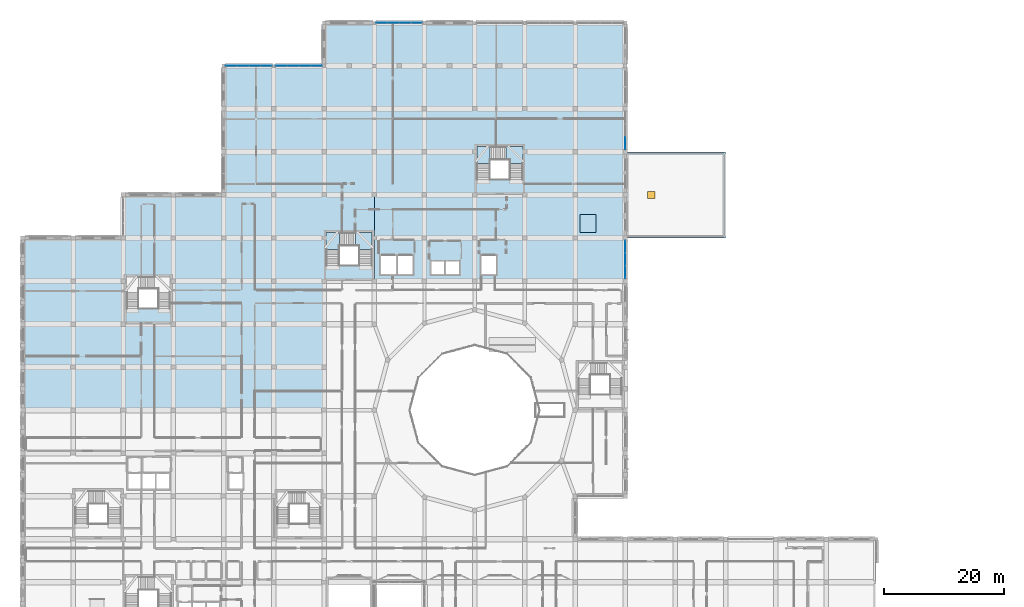
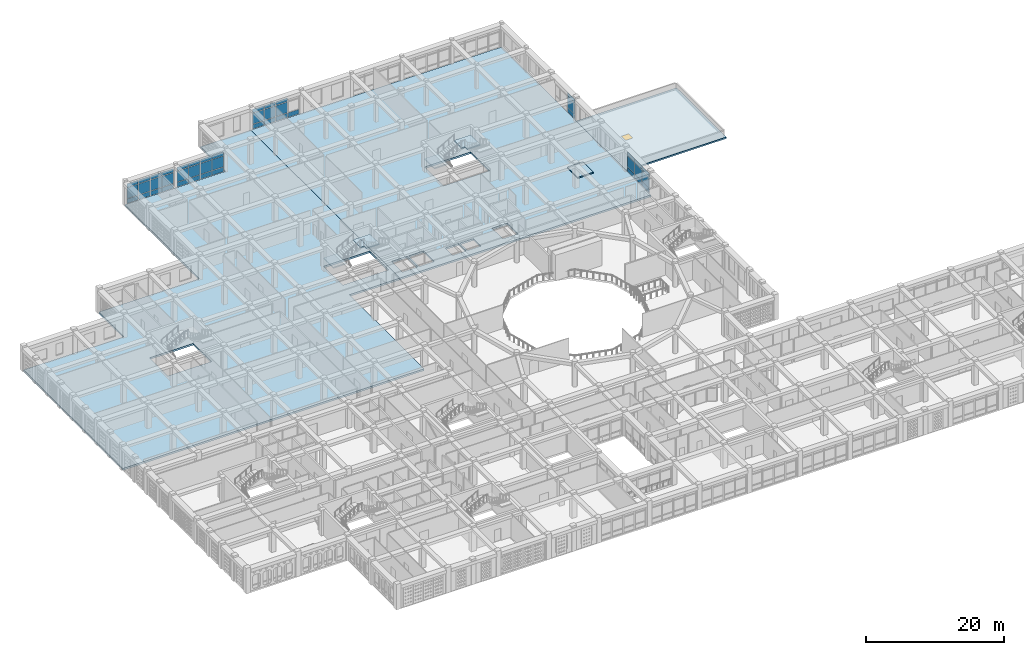
# One storey, part 67 of 121: 46 plates, 8 slabs, 1 window, 1 opening, 7 elements without a shape of their own.
"""IFC4 building model written with IfcOpenShell, lengths in metres."""

from ifc_helpers import new_model, si_unit, derived_unit, direction, frame, origin, origin_2d, place, context, subcontext, project, spatial, polyline, rectangle, outline, extrude, material, layer, layer_set, type_object, element, fill, aggregate, save


model = new_model("IFC4")

# Units and contexts
model_context = context("Model", 3, precision=1e-05, world=origin(), true_north=direction((0.0, 1.0)))
body_context = subcontext(model_context, "Body", "Model", "MODEL_VIEW")
ifc_project = project(units=[si_unit("LENGTHUNIT", "METRE"), si_unit("AREAUNIT", "SQUARE_METRE"), si_unit("VOLUMEUNIT", "CUBIC_METRE"), si_unit("PLANEANGLEUNIT", "RADIAN"), si_unit("MASSUNIT", "GRAM", prefix="KILO"), derived_unit("THERMALTRANSMITTANCEUNIT", [(si_unit("POWERUNIT", "WATT"), 1), (si_unit("LENGTHUNIT", "METRE"), -2), (si_unit("THERMODYNAMICTEMPERATUREUNIT", "KELVIN"), -1)])], contexts=[model_context])

# Site, building, storey
site_placement = place(None, origin())
site = spatial("IfcSite", under=ifc_project, at=site_placement, CompositionType="ELEMENT")
building_placement = place(site_placement, origin())
building = spatial("IfcBuilding", under=site, at=building_placement, Name="Veybourne Emporium", CompositionType="ELEMENT")
storey_placement = place(building_placement, frame((0.0, 0.0, 5.39990234375)))
storey = spatial("IfcBuildingStorey", under=building, at=storey_placement, Name="L01", CompositionType="ELEMENT", Elevation=5.39990234375)

# Curtain wall, plates
ifc_material_1 = material(Name="Patinated Architectural Bronze", Category="bronze")
curtain_wall_type_1 = type_object("IfcCurtainWallType", Name="CWSystem_CWS-04", PredefinedType="NOTDEFINED", material=ifc_material_1)
curtain_wall_1_placement = place(storey_placement, origin())
curtain_wall_1 = element("IfcCurtainWall", 1, at=curtain_wall_1_placement, inside=storey, type_object=curtain_wall_type_1, Name="L01 bronze glazed curtain wall CWS-04 (024)", PredefinedType="NOTDEFINED")
ifc_material_2 = material(Name="Low-E Triple Glazing", Category="glass")
ifc_layer_1 = layer(ifc_material_2, 0.028076171875)
ifc_layer_set_1 = layer_set([ifc_layer_1], Name="Low-E Triple Glazing")
plate_type = type_object("IfcPlateType", Name="CWPanel_CW-P1", PredefinedType="CURTAIN_PANEL", material=ifc_layer_set_1)
plate_1_placement = place(storey_placement, frame((34.876953125, 108.0, 0.070068359375), z_axis=(0.0, 0.0, 1.0), x_axis=(1.0, 0.0, 0.0)))
plate_1 = element("IfcPlate", 2, at=plate_1_placement, type_object=plate_type, Name="CWS-04 panel 1.1", PredefinedType="CURTAIN_PANEL", context=body_context, shape_type="SweptSolid", body=[
    extrude(rectangle(XDim=1.86376953125, YDim=0.028076171875, at=origin_2d()), origin(), (0.0, 0.0, 1.0), 0.794921875),
])
plate_2_placement = place(storey_placement, frame((34.876953125, 108.0, 0.93505859375), z_axis=(0.0, 0.0, 1.0), x_axis=(1.0, 0.0, 0.0)))
plate_2 = element("IfcPlate", 3, at=plate_2_placement, type_object=plate_type, Name="CWS-04 panel 1.2", PredefinedType="CURTAIN_PANEL", context=body_context, shape_type="SweptSolid", body=[
    extrude(rectangle(XDim=1.86376953125, YDim=0.028076171875, at=origin_2d()), origin(), (0.0, 0.0, 1.0), 1.909912109375),
])
plate_3_placement = place(storey_placement, frame((34.876953125, 108.0, 2.9150390625), z_axis=(0.0, 0.0, 1.0), x_axis=(1.0, 0.0, 0.0)))
plate_3 = element("IfcPlate", 4, at=plate_3_placement, type_object=plate_type, Name="CWS-04 panel 1.3", PredefinedType="CURTAIN_PANEL", context=body_context, shape_type="SweptSolid", body=[
    extrude(rectangle(XDim=1.86376953125, YDim=0.028076171875, at=origin_2d()), origin(), (0.0, 0.0, 1.0), 0.64501953125),
])
plate_4_placement = place(storey_placement, frame((36.828125, 108.0, 0.070068359375), z_axis=(0.0, 0.0, 1.0), x_axis=(1.0, 0.0, 0.0)))
plate_4 = element("IfcPlate", 5, at=plate_4_placement, type_object=plate_type, Name="CWS-04 panel 2.1", PredefinedType="CURTAIN_PANEL", context=body_context, shape_type="SweptSolid", body=[
    extrude(rectangle(XDim=1.898681640625, YDim=0.028076171875, at=origin_2d()), origin(), (0.0, 0.0, 1.0), 0.794921875),
])
plate_5_placement = place(storey_placement, frame((36.828125, 108.0, 0.93505859375), z_axis=(0.0, 0.0, 1.0), x_axis=(1.0, 0.0, 0.0)))
plate_5 = element("IfcPlate", 6, at=plate_5_placement, type_object=plate_type, Name="CWS-04 panel 2.2", PredefinedType="CURTAIN_PANEL", context=body_context, shape_type="SweptSolid", body=[
    extrude(rectangle(XDim=1.898681640625, YDim=0.028076171875, at=origin_2d()), origin(), (0.0, 0.0, 1.0), 1.909912109375),
])
plate_6_placement = place(storey_placement, frame((36.828125, 108.0, 2.9150390625), z_axis=(0.0, 0.0, 1.0), x_axis=(1.0, 0.0, 0.0)))
plate_6 = element("IfcPlate", 7, at=plate_6_placement, type_object=plate_type, Name="CWS-04 panel 2.3", PredefinedType="CURTAIN_PANEL", context=body_context, shape_type="SweptSolid", body=[
    extrude(rectangle(XDim=1.898681640625, YDim=0.028076171875, at=origin_2d()), origin(), (0.0, 0.0, 1.0), 0.64501953125),
])
plate_7_placement = place(storey_placement, frame((38.796875, 108.0, 0.070068359375), z_axis=(0.0, 0.0, 1.0), x_axis=(1.0, 0.0, 0.0)))
plate_7 = element("IfcPlate", 8, at=plate_7_placement, type_object=plate_type, Name="CWS-04 panel 3.1", PredefinedType="CURTAIN_PANEL", context=body_context, shape_type="SweptSolid", body=[
    extrude(rectangle(XDim=1.898681640625, YDim=0.028076171875, at=origin_2d()), origin(), (0.0, 0.0, 1.0), 0.794921875),
])
plate_8_placement = place(storey_placement, frame((38.796875, 108.0, 0.93505859375), z_axis=(0.0, 0.0, 1.0), x_axis=(1.0, 0.0, 0.0)))
plate_8 = element("IfcPlate", 9, at=plate_8_placement, type_object=plate_type, Name="CWS-04 panel 3.2", PredefinedType="CURTAIN_PANEL", context=body_context, shape_type="SweptSolid", body=[
    extrude(rectangle(XDim=1.898681640625, YDim=0.028076171875, at=origin_2d()), origin(), (0.0, 0.0, 1.0), 1.909912109375),
])
plate_9_placement = place(storey_placement, frame((38.796875, 108.0, 2.9150390625), z_axis=(0.0, 0.0, 1.0), x_axis=(1.0, 0.0, 0.0)))
plate_9 = element("IfcPlate", 10, at=plate_9_placement, type_object=plate_type, Name="CWS-04 panel 3.3", PredefinedType="CURTAIN_PANEL", context=body_context, shape_type="SweptSolid", body=[
    extrude(rectangle(XDim=1.898681640625, YDim=0.028076171875, at=origin_2d()), origin(), (0.0, 0.0, 1.0), 0.64501953125),
])
plate_10_placement = place(storey_placement, frame((40.748046875, 108.0, 0.070068359375), z_axis=(0.0, 0.0, 1.0), x_axis=(1.0, 0.0, 0.0)))
plate_10 = element("IfcPlate", 11, at=plate_10_placement, type_object=plate_type, Name="CWS-04 panel 4.1", PredefinedType="CURTAIN_PANEL", context=body_context, shape_type="SweptSolid", body=[
    extrude(rectangle(XDim=1.86376953125, YDim=0.028076171875, at=origin_2d()), origin(), (0.0, 0.0, 1.0), 0.794921875),
])
plate_11_placement = place(storey_placement, frame((40.748046875, 108.0, 0.93505859375), z_axis=(0.0, 0.0, 1.0), x_axis=(1.0, 0.0, 0.0)))
plate_11 = element("IfcPlate", 12, at=plate_11_placement, type_object=plate_type, Name="CWS-04 panel 4.2", PredefinedType="CURTAIN_PANEL", context=body_context, shape_type="SweptSolid", body=[
    extrude(rectangle(XDim=1.86376953125, YDim=0.028076171875, at=origin_2d()), origin(), (0.0, 0.0, 1.0), 1.909912109375),
])
plate_12_placement = place(storey_placement, frame((40.748046875, 108.0, 2.9150390625), z_axis=(0.0, 0.0, 1.0), x_axis=(1.0, 0.0, 0.0)))
plate_12 = element("IfcPlate", 13, at=plate_12_placement, type_object=plate_type, Name="CWS-04 panel 4.3", PredefinedType="CURTAIN_PANEL", context=body_context, shape_type="SweptSolid", body=[
    extrude(rectangle(XDim=1.86376953125, YDim=0.028076171875, at=origin_2d()), origin(), (0.0, 0.0, 1.0), 0.64501953125),
])
aggregate(curtain_wall_1, [plate_1, plate_2, plate_3, plate_4, plate_5, plate_6, plate_7, plate_8, plate_9, plate_10, plate_11, plate_12])

curtain_wall_type_2 = type_object("IfcCurtainWallType", Name="CWSystem_CWS-05", PredefinedType="NOTDEFINED", material=ifc_material_1)
curtain_wall_2_placement = place(storey_placement, origin())
curtain_wall_2 = element("IfcCurtainWall", 14, at=curtain_wall_2_placement, inside=storey, type_object=curtain_wall_type_2, Name="L01 bronze glazed curtain wall CWS-05 (027)", PredefinedType="NOTDEFINED")
plate_13_placement = place(storey_placement, frame((43.25244140625, 108.0, 0.072021484375), z_axis=(0.0, 0.0, 1.0), x_axis=(1.0, 0.0, 0.0)))
plate_13 = element("IfcPlate", 15, at=plate_13_placement, type_object=plate_type, Name="CWS-05 panel 1.1", PredefinedType="CURTAIN_PANEL", context=body_context, shape_type="SweptSolid", body=[
    extrude(rectangle(XDim=1.86083984375, YDim=0.028076171875, at=origin_2d()), origin(), (0.0, 0.0, 1.0), 0.7919921875),
])
plate_14_placement = place(storey_placement, frame((43.25244140625, 108.0, 0.93603515625), z_axis=(0.0, 0.0, 1.0), x_axis=(1.0, 0.0, 0.0)))
plate_14 = element("IfcPlate", 16, at=plate_14_placement, type_object=plate_type, Name="CWS-05 panel 1.2", PredefinedType="CURTAIN_PANEL", context=body_context, shape_type="SweptSolid", body=[
    extrude(rectangle(XDim=1.86083984375, YDim=0.028076171875, at=origin_2d()), origin(), (0.0, 0.0, 1.0), 1.907958984375),
])
plate_15_placement = place(storey_placement, frame((43.25244140625, 108.0, 2.916015625), z_axis=(0.0, 0.0, 1.0), x_axis=(1.0, 0.0, 0.0)))
plate_15 = element("IfcPlate", 17, at=plate_15_placement, type_object=plate_type, Name="CWS-05 panel 1.3", PredefinedType="CURTAIN_PANEL", context=body_context, shape_type="SweptSolid", body=[
    extrude(rectangle(XDim=1.86083984375, YDim=0.028076171875, at=origin_2d()), origin(), (0.0, 0.0, 1.0), 0.64208984375),
])
plate_16_placement = place(storey_placement, frame((45.203125, 108.0, 0.072021484375), z_axis=(0.0, 0.0, 1.0), x_axis=(1.0, 0.0, 0.0)))
plate_16 = element("IfcPlate", 18, at=plate_16_placement, type_object=plate_type, Name="CWS-05 panel 2.1", PredefinedType="CURTAIN_PANEL", context=body_context, shape_type="SweptSolid", body=[
    extrude(rectangle(XDim=1.896728515625, YDim=0.028076171875, at=origin_2d()), origin(), (0.0, 0.0, 1.0), 0.7919921875),
])
plate_17_placement = place(storey_placement, frame((45.203125, 108.0, 0.93603515625), z_axis=(0.0, 0.0, 1.0), x_axis=(1.0, 0.0, 0.0)))
plate_17 = element("IfcPlate", 19, at=plate_17_placement, type_object=plate_type, Name="CWS-05 panel 2.2", PredefinedType="CURTAIN_PANEL", context=body_context, shape_type="SweptSolid", body=[
    extrude(rectangle(XDim=1.896728515625, YDim=0.028076171875, at=origin_2d()), origin(), (0.0, 0.0, 1.0), 1.907958984375),
])
plate_18_placement = place(storey_placement, frame((45.203125, 108.0, 2.916015625), z_axis=(0.0, 0.0, 1.0), x_axis=(1.0, 0.0, 0.0)))
plate_18 = element("IfcPlate", 20, at=plate_18_placement, type_object=plate_type, Name="CWS-05 panel 2.3", PredefinedType="CURTAIN_PANEL", context=body_context, shape_type="SweptSolid", body=[
    extrude(rectangle(XDim=1.896728515625, YDim=0.028076171875, at=origin_2d()), origin(), (0.0, 0.0, 1.0), 0.64208984375),
])
plate_19_placement = place(storey_placement, frame((47.171875, 108.0, 0.072021484375), z_axis=(0.0, 0.0, 1.0), x_axis=(1.0, 0.0, 0.0)))
plate_19 = element("IfcPlate", 21, at=plate_19_placement, type_object=plate_type, Name="CWS-05 panel 3.1", PredefinedType="CURTAIN_PANEL", context=body_context, shape_type="SweptSolid", body=[
    extrude(rectangle(XDim=1.896728515625, YDim=0.028076171875, at=origin_2d()), origin(), (0.0, 0.0, 1.0), 0.7919921875),
])
plate_20_placement = place(storey_placement, frame((47.171875, 108.0, 0.93603515625), z_axis=(0.0, 0.0, 1.0), x_axis=(1.0, 0.0, 0.0)))
plate_20 = element("IfcPlate", 22, at=plate_20_placement, type_object=plate_type, Name="CWS-05 panel 3.2", PredefinedType="CURTAIN_PANEL", context=body_context, shape_type="SweptSolid", body=[
    extrude(rectangle(XDim=1.896728515625, YDim=0.028076171875, at=origin_2d()), origin(), (0.0, 0.0, 1.0), 1.907958984375),
])
plate_21_placement = place(storey_placement, frame((47.171875, 108.0, 2.916015625), z_axis=(0.0, 0.0, 1.0), x_axis=(1.0, 0.0, 0.0)))
plate_21 = element("IfcPlate", 23, at=plate_21_placement, type_object=plate_type, Name="CWS-05 panel 3.3", PredefinedType="CURTAIN_PANEL", context=body_context, shape_type="SweptSolid", body=[
    extrude(rectangle(XDim=1.896728515625, YDim=0.028076171875, at=origin_2d()), origin(), (0.0, 0.0, 1.0), 0.64208984375),
])
plate_22_placement = place(storey_placement, frame((49.12255859375, 108.0, 0.072021484375), z_axis=(0.0, 0.0, 1.0), x_axis=(1.0, 0.0, 0.0)))
plate_22 = element("IfcPlate", 24, at=plate_22_placement, type_object=plate_type, Name="CWS-05 panel 4.1", PredefinedType="CURTAIN_PANEL", context=body_context, shape_type="SweptSolid", body=[
    extrude(rectangle(XDim=1.86083984375, YDim=0.028076171875, at=origin_2d()), origin(), (0.0, 0.0, 1.0), 0.7919921875),
])
plate_23_placement = place(storey_placement, frame((49.12255859375, 108.0, 0.93603515625), z_axis=(0.0, 0.0, 1.0), x_axis=(1.0, 0.0, 0.0)))
plate_23 = element("IfcPlate", 25, at=plate_23_placement, type_object=plate_type, Name="CWS-05 panel 4.2", PredefinedType="CURTAIN_PANEL", context=body_context, shape_type="SweptSolid", body=[
    extrude(rectangle(XDim=1.86083984375, YDim=0.028076171875, at=origin_2d()), origin(), (0.0, 0.0, 1.0), 1.907958984375),
])
plate_24_placement = place(storey_placement, frame((49.12255859375, 108.0, 2.916015625), z_axis=(0.0, 0.0, 1.0), x_axis=(1.0, 0.0, 0.0)))
plate_24 = element("IfcPlate", 26, at=plate_24_placement, type_object=plate_type, Name="CWS-05 panel 4.3", PredefinedType="CURTAIN_PANEL", context=body_context, shape_type="SweptSolid", body=[
    extrude(rectangle(XDim=1.86083984375, YDim=0.028076171875, at=origin_2d()), origin(), (0.0, 0.0, 1.0), 0.64208984375),
])
aggregate(curtain_wall_2, [plate_13, plate_14, plate_15, plate_16, plate_17, plate_18, plate_19, plate_20, plate_21, plate_22, plate_23, plate_24])

curtain_wall_type_3 = type_object("IfcCurtainWallType", Name="CWSystem_CWS-11", PredefinedType="NOTDEFINED", material=ifc_material_1)
curtain_wall_3_placement = place(storey_placement, origin())
curtain_wall_3 = element("IfcCurtainWall", 27, at=curtain_wall_3_placement, inside=storey, type_object=curtain_wall_type_3, Name="L01 bronze glazed curtain wall CWS-11 (036)", PredefinedType="NOTDEFINED")
plate_25_placement = place(storey_placement, frame((60.053955078125, 115.199951171875, 0.078125), z_axis=(0.0, 0.0, 1.0), x_axis=(1.0, 0.0, 0.0)))
plate_25 = element("IfcPlate", 28, at=plate_25_placement, type_object=plate_type, Name="CWS-11 panel 1.1", PredefinedType="CURTAIN_PANEL", context=body_context, shape_type="SweptSolid", body=[
    extrude(rectangle(XDim=1.851806640625, YDim=0.028076171875, at=origin_2d()), origin(), (0.0, 0.0, 1.0), 0.782958984375),
])
plate_26_placement = place(storey_placement, frame((60.053955078125, 115.199951171875, 0.93896484375), z_axis=(0.0, 0.0, 1.0), x_axis=(1.0, 0.0, 0.0)))
plate_26 = element("IfcPlate", 29, at=plate_26_placement, type_object=plate_type, Name="CWS-11 panel 1.2", PredefinedType="CURTAIN_PANEL", context=body_context, shape_type="SweptSolid", body=[
    extrude(rectangle(XDim=1.851806640625, YDim=0.028076171875, at=origin_2d()), origin(), (0.0, 0.0, 1.0), 1.902099609375),
])
plate_27_placement = place(storey_placement, frame((60.053955078125, 115.199951171875, 2.9189453125), z_axis=(0.0, 0.0, 1.0), x_axis=(1.0, 0.0, 0.0)))
plate_27 = element("IfcPlate", 30, at=plate_27_placement, type_object=plate_type, Name="CWS-11 panel 1.3", PredefinedType="CURTAIN_PANEL", context=body_context, shape_type="SweptSolid", body=[
    extrude(rectangle(XDim=1.851806640625, YDim=0.028076171875, at=origin_2d()), origin(), (0.0, 0.0, 1.0), 0.633056640625),
])
plate_28_placement = place(storey_placement, frame((62.003173828125, 115.199951171875, 0.078125), z_axis=(0.0, 0.0, 1.0), x_axis=(1.0, 0.0, 0.0)))
plate_28 = element("IfcPlate", 31, at=plate_28_placement, type_object=plate_type, Name="CWS-11 panel 2.1", PredefinedType="CURTAIN_PANEL", context=body_context, shape_type="SweptSolid", body=[
    extrude(rectangle(XDim=1.890869140625, YDim=0.028076171875, at=origin_2d()), origin(), (0.0, 0.0, 1.0), 0.782958984375),
])
plate_29_placement = place(storey_placement, frame((62.003173828125, 115.199951171875, 0.93896484375), z_axis=(0.0, 0.0, 1.0), x_axis=(1.0, 0.0, 0.0)))
plate_29 = element("IfcPlate", 32, at=plate_29_placement, type_object=plate_type, Name="CWS-11 panel 2.2", PredefinedType="CURTAIN_PANEL", context=body_context, shape_type="SweptSolid", body=[
    extrude(rectangle(XDim=1.890869140625, YDim=0.028076171875, at=origin_2d()), origin(), (0.0, 0.0, 1.0), 1.902099609375),
])
plate_30_placement = place(storey_placement, frame((62.003173828125, 115.199951171875, 2.9189453125), z_axis=(0.0, 0.0, 1.0), x_axis=(1.0, 0.0, 0.0)))
plate_30 = element("IfcPlate", 33, at=plate_30_placement, type_object=plate_type, Name="CWS-11 panel 2.3", PredefinedType="CURTAIN_PANEL", context=body_context, shape_type="SweptSolid", body=[
    extrude(rectangle(XDim=1.890869140625, YDim=0.028076171875, at=origin_2d()), origin(), (0.0, 0.0, 1.0), 0.633056640625),
])
plate_31_placement = place(storey_placement, frame((63.971923828125, 115.199951171875, 0.078125), z_axis=(0.0, 0.0, 1.0), x_axis=(1.0, 0.0, 0.0)))
plate_31 = element("IfcPlate", 34, at=plate_31_placement, type_object=plate_type, Name="CWS-11 panel 3.1", PredefinedType="CURTAIN_PANEL", context=body_context, shape_type="SweptSolid", body=[
    extrude(rectangle(XDim=1.890869140625, YDim=0.028076171875, at=origin_2d()), origin(), (0.0, 0.0, 1.0), 0.782958984375),
])
plate_32_placement = place(storey_placement, frame((63.971923828125, 115.199951171875, 0.93896484375), z_axis=(0.0, 0.0, 1.0), x_axis=(1.0, 0.0, 0.0)))
plate_32 = element("IfcPlate", 35, at=plate_32_placement, type_object=plate_type, Name="CWS-11 panel 3.2", PredefinedType="CURTAIN_PANEL", context=body_context, shape_type="SweptSolid", body=[
    extrude(rectangle(XDim=1.890869140625, YDim=0.028076171875, at=origin_2d()), origin(), (0.0, 0.0, 1.0), 1.902099609375),
])
plate_33_placement = place(storey_placement, frame((63.971923828125, 115.199951171875, 2.9189453125), z_axis=(0.0, 0.0, 1.0), x_axis=(1.0, 0.0, 0.0)))
plate_33 = element("IfcPlate", 36, at=plate_33_placement, type_object=plate_type, Name="CWS-11 panel 3.3", PredefinedType="CURTAIN_PANEL", context=body_context, shape_type="SweptSolid", body=[
    extrude(rectangle(XDim=1.890869140625, YDim=0.028076171875, at=origin_2d()), origin(), (0.0, 0.0, 1.0), 0.633056640625),
])
plate_34_placement = place(storey_placement, frame((65.921142578125, 115.199951171875, 0.078125), z_axis=(0.0, 0.0, 1.0), x_axis=(1.0, 0.0, 0.0)))
plate_34 = element("IfcPlate", 37, at=plate_34_placement, type_object=plate_type, Name="CWS-11 panel 4.1", PredefinedType="CURTAIN_PANEL", context=body_context, shape_type="SweptSolid", body=[
    extrude(rectangle(XDim=1.851806640625, YDim=0.028076171875, at=origin_2d()), origin(), (0.0, 0.0, 1.0), 0.782958984375),
])
aggregate(curtain_wall_3, [plate_25, plate_26, plate_27, plate_28, plate_29, plate_30, plate_31, plate_32, plate_33, plate_34])

curtain_wall_type_4 = type_object("IfcCurtainWallType", Name="CWSystem_CWS-21", PredefinedType="NOTDEFINED", material=ifc_material_1)
curtain_wall_4_placement = place(storey_placement, origin())
curtain_wall_4 = element("IfcCurtainWall", 38, at=curtain_wall_4_placement, inside=storey, type_object=curtain_wall_type_4, Name="L01 bronze glazed curtain wall CWS-21 (054)", PredefinedType="NOTDEFINED")
plate_35_placement = place(storey_placement, frame((100.800048828125, 77.73193359375, 0.072021484375), z_axis=(0.0, 0.0, 1.0), x_axis=(0.0, -1.0, 0.0)))
plate_35 = element("IfcPlate", 39, at=plate_35_placement, type_object=plate_type, Name="CWS-21 panel 1.1", PredefinedType="CURTAIN_PANEL", context=body_context, shape_type="SweptSolid", body=[
    extrude(rectangle(XDim=2.0419921875, YDim=0.028076171875, at=origin_2d()), origin(), (0.0, 0.0, 1.0), 0.7919921875),
])
plate_36_placement = place(storey_placement, frame((100.800048828125, 77.73193359375, 0.93603515625), z_axis=(0.0, 0.0, 1.0), x_axis=(0.0, -1.0, 0.0)))
plate_36 = element("IfcPlate", 40, at=plate_36_placement, type_object=plate_type, Name="CWS-21 panel 1.2", PredefinedType="CURTAIN_PANEL", context=body_context, shape_type="SweptSolid", body=[
    extrude(rectangle(XDim=2.0419921875, YDim=0.028076171875, at=origin_2d()), origin(), (0.0, 0.0, 1.0), 1.907958984375),
])
plate_37_placement = place(storey_placement, frame((100.800048828125, 77.73193359375, 2.916015625), z_axis=(0.0, 0.0, 1.0), x_axis=(0.0, -1.0, 0.0)))
plate_37 = element("IfcPlate", 41, at=plate_37_placement, type_object=plate_type, Name="CWS-21 panel 1.3", PredefinedType="CURTAIN_PANEL", context=body_context, shape_type="SweptSolid", body=[
    extrude(rectangle(XDim=2.0419921875, YDim=0.028076171875, at=origin_2d()), origin(), (0.0, 0.0, 1.0), 0.64208984375),
])
plate_38_placement = place(storey_placement, frame((100.800048828125, 75.60009765625, 0.072021484375), z_axis=(0.0, 0.0, 1.0), x_axis=(0.0, -1.0, 0.0)))
plate_38 = element("IfcPlate", 42, at=plate_38_placement, type_object=plate_type, Name="CWS-21 panel 2.1", PredefinedType="CURTAIN_PANEL", context=body_context, shape_type="SweptSolid", body=[
    extrude(rectangle(XDim=2.077880859375, YDim=0.028076171875, at=origin_2d()), origin(), (0.0, 0.0, 1.0), 0.7919921875),
])
plate_39_placement = place(storey_placement, frame((100.800048828125, 75.60009765625, 0.93603515625), z_axis=(0.0, 0.0, 1.0), x_axis=(0.0, -1.0, 0.0)))
plate_39 = element("IfcPlate", 43, at=plate_39_placement, type_object=plate_type, Name="CWS-21 panel 2.2", PredefinedType="CURTAIN_PANEL", context=body_context, shape_type="SweptSolid", body=[
    extrude(rectangle(XDim=2.077880859375, YDim=0.028076171875, at=origin_2d()), origin(), (0.0, 0.0, 1.0), 1.907958984375),
])
plate_40_placement = place(storey_placement, frame((100.800048828125, 75.60009765625, 2.916015625), z_axis=(0.0, 0.0, 1.0), x_axis=(0.0, -1.0, 0.0)))
plate_40 = element("IfcPlate", 44, at=plate_40_placement, type_object=plate_type, Name="CWS-21 panel 2.3", PredefinedType="CURTAIN_PANEL", context=body_context, shape_type="SweptSolid", body=[
    extrude(rectangle(XDim=2.077880859375, YDim=0.028076171875, at=origin_2d()), origin(), (0.0, 0.0, 1.0), 0.64208984375),
])
plate_41_placement = place(storey_placement, frame((100.800048828125, 73.468017578125, 0.072021484375), z_axis=(0.0, 0.0, 1.0), x_axis=(0.0, -1.0, 0.0)))
plate_41 = element("IfcPlate", 45, at=plate_41_placement, type_object=plate_type, Name="CWS-21 panel 3.1", PredefinedType="CURTAIN_PANEL", context=body_context, shape_type="SweptSolid", body=[
    extrude(rectangle(XDim=2.0419921875, YDim=0.028076171875, at=origin_2d()), origin(), (0.0, 0.0, 1.0), 0.7919921875),
])
plate_42_placement = place(storey_placement, frame((100.800048828125, 73.468017578125, 0.93603515625), z_axis=(0.0, 0.0, 1.0), x_axis=(0.0, -1.0, 0.0)))
plate_42 = element("IfcPlate", 46, at=plate_42_placement, type_object=plate_type, Name="CWS-21 panel 3.2", PredefinedType="CURTAIN_PANEL", context=body_context, shape_type="SweptSolid", body=[
    extrude(rectangle(XDim=2.0419921875, YDim=0.028076171875, at=origin_2d()), origin(), (0.0, 0.0, 1.0), 1.907958984375),
])
plate_43_placement = place(storey_placement, frame((100.800048828125, 73.468017578125, 2.916015625), z_axis=(0.0, 0.0, 1.0), x_axis=(0.0, -1.0, 0.0)))
plate_43 = element("IfcPlate", 47, at=plate_43_placement, type_object=plate_type, Name="CWS-21 panel 3.3", PredefinedType="CURTAIN_PANEL", context=body_context, shape_type="SweptSolid", body=[
    extrude(rectangle(XDim=2.0419921875, YDim=0.028076171875, at=origin_2d()), origin(), (0.0, 0.0, 1.0), 0.64208984375),
])
aggregate(curtain_wall_4, [plate_35, plate_36, plate_37, plate_38, plate_39, plate_40, plate_41, plate_42, plate_43])

curtain_wall_type_5 = type_object("IfcCurtainWallType", Name="CWSystem_CWS-22", PredefinedType="NOTDEFINED", material=ifc_material_1)
curtain_wall_5_placement = place(storey_placement, origin())
curtain_wall_5 = element("IfcCurtainWall", 48, at=curtain_wall_5_placement, inside=storey, type_object=curtain_wall_type_5, Name="L01 bronze glazed curtain wall CWS-22 (057)", PredefinedType="NOTDEFINED")
plate_44_placement = place(storey_placement, frame((100.800048828125, 95.06884765625, 0.074951171875), z_axis=(0.0, 0.0, 1.0), x_axis=(0.0, -1.0, 0.0)))
plate_44 = element("IfcPlate", 49, at=plate_44_placement, type_object=plate_type, Name="CWS-22 panel 3.1", PredefinedType="CURTAIN_PANEL", context=body_context, shape_type="SweptSolid", body=[
    extrude(rectangle(XDim=2.03759765625, YDim=0.028076171875, at=origin_2d()), origin(), (0.0, 0.0, 1.0), 0.78759765625),
])
plate_45_placement = place(storey_placement, frame((100.800048828125, 95.06884765625, 0.9375), z_axis=(0.0, 0.0, 1.0), x_axis=(0.0, -1.0, 0.0)))
plate_45 = element("IfcPlate", 50, at=plate_45_placement, type_object=plate_type, Name="CWS-22 panel 3.2", PredefinedType="CURTAIN_PANEL", context=body_context, shape_type="SweptSolid", body=[
    extrude(rectangle(XDim=2.03759765625, YDim=0.028076171875, at=origin_2d()), origin(), (0.0, 0.0, 1.0), 1.905029296875),
])
plate_46_placement = place(storey_placement, frame((100.800048828125, 95.06884765625, 2.91748046875), z_axis=(0.0, 0.0, 1.0), x_axis=(0.0, -1.0, 0.0)))
plate_46 = element("IfcPlate", 51, at=plate_46_placement, type_object=plate_type, Name="CWS-22 panel 3.3", PredefinedType="CURTAIN_PANEL", context=body_context, shape_type="SweptSolid", body=[
    extrude(rectangle(XDim=2.03759765625, YDim=0.028076171875, at=origin_2d()), origin(), (0.0, 0.0, 1.0), 0.637451171875),
])
aggregate(curtain_wall_5, [plate_44, plate_45, plate_46])

# Stair, slabs
ifc_material_3 = material(Name="Concrete C32/40", Category="concrete")
stair_type_1 = type_object("IfcStairType", Name="Stair_ST-03-R30", PredefinedType="TWO_QUARTER_TURN_STAIR", material=ifc_material_3)
stair_1_placement = place(storey_placement, origin())
stair_1 = element("IfcStair", 52, at=stair_1_placement, inside=storey, type_object=stair_type_1, Name="L01 stair ST-03", PredefinedType="TWO_QUARTER_TURN_STAIR")
ifc_layer_2 = layer(ifc_material_3, 0.199951171875)
ifc_layer_set_2 = layer_set([ifc_layer_2], Name="Concrete C32/40")
slab_type_1 = type_object("IfcSlabType", Name="Landing_LDG-01", PredefinedType="LANDING", material=ifc_layer_set_2)
slab_1_placement = place(storey_placement, frame((0.0, 0.0, 1.300048828125)))
slab_1 = element("IfcSlab", 53, at=slab_1_placement, type_object=slab_type_1, Name="ST-03-R30 landing 1", PredefinedType="LANDING", context=body_context, shape_type="SweptSolid", body=[
    extrude(outline(polyline([(50.75, 77.300048828125), (52.949951171875, 77.300048828125), (52.949951171875, 80.10009765625), (50.75, 80.10009765625), (50.75, 77.300048828125)])), origin(), (0.0, 0.0, 1.0), 0.199951171875),
])
slab_2_placement = place(storey_placement, frame((0.0, 0.0, 2.800048828125)))
slab_2 = element("IfcSlab", 54, at=slab_2_placement, type_object=slab_type_1, Name="ST-03-R30 landing 2", PredefinedType="LANDING", context=body_context, shape_type="SweptSolid", body=[
    extrude(outline(polyline([(55.64990234375, 77.89990234375), (56.25, 77.89990234375), (56.25, 77.300048828125), (58.449951171875, 77.300048828125), (58.449951171875, 80.10009765625), (55.64990234375, 80.10009765625), (55.64990234375, 77.89990234375)])), origin(), (0.0, 0.0, 1.0), 0.199951171875),
])
aggregate(stair_1, [slab_1, slab_2])

stair_type_2 = type_object("IfcStairType", Name="Stair_ST-04-R30", PredefinedType="TWO_QUARTER_TURN_STAIR", material=ifc_material_3)
stair_2_placement = place(storey_placement, origin())
stair_2 = element("IfcStair", 55, at=stair_2_placement, inside=storey, type_object=stair_type_2, Name="L01 stair ST-04", PredefinedType="TWO_QUARTER_TURN_STAIR")
slab_3_placement = place(storey_placement, frame((0.0, 0.0, 1.300048828125)))
slab_3 = element("IfcSlab", 56, at=slab_3_placement, type_object=slab_type_1, Name="ST-04-R30 landing 1", PredefinedType="LANDING", context=body_context, shape_type="SweptSolid", body=[
    extrude(outline(polyline([(75.949951171875, 91.699951171875), (78.14990234375, 91.699951171875), (78.14990234375, 94.5), (75.949951171875, 94.5), (75.949951171875, 91.699951171875)])), origin(), (0.0, 0.0, 1.0), 0.199951171875),
])
slab_4_placement = place(storey_placement, frame((0.0, 0.0, 2.800048828125)))
slab_4 = element("IfcSlab", 57, at=slab_4_placement, type_object=slab_type_1, Name="ST-04-R30 landing 2", PredefinedType="LANDING", context=body_context, shape_type="SweptSolid", body=[
    extrude(outline(polyline([(80.85009765625, 92.300048828125), (81.449951171875, 92.300048828125), (81.449951171875, 91.699951171875), (83.64990234375, 91.699951171875), (83.64990234375, 94.5), (80.85009765625, 94.5), (80.85009765625, 92.300048828125)])), origin(), (0.0, 0.0, 1.0), 0.199951171875),
])
aggregate(stair_2, [slab_3, slab_4])

# Slabs
ifc_layer_3 = layer(ifc_material_3, 0.320068359375)
ifc_layer_set_3 = layer_set([ifc_layer_3], Name="Concrete C32/40")
slab_type_2 = type_object("IfcSlabType", Name="Slab_FS-02", PredefinedType="FLOOR", material=ifc_layer_set_3)
slab_5_placement = place(storey_placement, frame((0.0, 0.0, -0.31982421875)))
element("IfcSlab", 58, at=slab_5_placement, inside=storey, type_object=slab_type_2, Name="L01 floor slab FS-02 (V5W.1)", PredefinedType="FLOOR", context=body_context, shape_type="SweptSolid", body=[
    extrude(outline(polyline([(16.800048828125, 50.39990234375), (8.39990234375, 50.39990234375), (0.0, 50.39990234375), (0.0, 57.60009765625), (0.0, 64.800048828125), (0.0, 72.0), (0.0, 79.199951171875), (8.39990234375, 79.199951171875), (16.800048828125, 79.199951171875), (16.800048828125, 86.39990234375), (25.199951171875, 86.39990234375), (33.60009765625, 86.39990234375), (33.60009765625, 93.60009765625), (33.60009765625, 100.800048828125), (33.60009765625, 108.0), (42.0, 108.0), (50.39990234375, 108.0), (50.39990234375, 115.199951171875), (58.800048828125, 115.199951171875), (58.800048828125, 108.0), (58.800048828125, 100.800048828125), (58.800048828125, 93.60009765625), (58.800048828125, 86.39990234375), (58.800048828125, 79.199951171875), (58.800048828125, 72.0), (50.39990234375, 72.0), (50.39990234375, 64.800048828125), (50.39990234375, 57.60009765625), (50.39990234375, 50.39990234375), (42.0, 50.39990234375), (33.60009765625, 50.39990234375), (25.199951171875, 50.39990234375), (16.800048828125, 50.39990234375)]), holes=[polyline([(17.35009765625, 67.39990234375), (24.64990234375, 67.39990234375), (24.64990234375, 72.699951171875), (17.35009765625, 72.699951171875), (17.35009765625, 67.39990234375)]), polyline([(50.75, 74.60009765625), (58.449951171875, 74.60009765625), (58.449951171875, 80.10009765625), (50.75, 80.10009765625), (50.75, 74.60009765625)])]), origin(), (0.0, 0.0, 1.0), 0.31982421875),
])
slab_6_placement = place(storey_placement, frame((0.0, 0.0, -0.31982421875)))
element("IfcSlab", 59, at=slab_6_placement, inside=storey, type_object=slab_type_2, Name="L01 floor slab FS-02 (V5E.1)", PredefinedType="FLOOR", context=body_context, shape_type="SweptSolid", body=[
    extrude(outline(polyline([(58.800048828125, 100.800048828125), (58.800048828125, 108.0), (58.800048828125, 115.199951171875), (67.199951171875, 115.199951171875), (75.60009765625, 115.199951171875), (84.0, 115.199951171875), (92.39990234375, 115.199951171875), (100.800048828125, 115.199951171875), (100.800048828125, 108.0), (100.800048828125, 100.800048828125), (100.800048828125, 93.60009765625), (100.800048828125, 86.39990234375), (100.800048828125, 79.199951171875), (100.800048828125, 72.0), (92.39990234375, 72.0), (84.0, 72.0), (75.60009765625, 72.0), (67.199951171875, 72.0), (58.800048828125, 72.0), (58.800048828125, 79.199951171875), (58.800048828125, 86.39990234375), (58.800048828125, 93.60009765625), (58.800048828125, 100.800048828125)]), holes=[polyline([(70.550048828125, 73.14990234375), (70.550048828125, 75.300048828125), (68.300048828125, 75.300048828125), (68.300048828125, 73.14990234375), (70.550048828125, 73.14990234375)]), polyline([(70.7900390625, 73.14990234375), (73.0400390625, 73.14990234375), (73.0400390625, 75.300048828125), (70.7900390625, 75.300048828125), (70.7900390625, 73.14990234375)]), polyline([(59.89990234375, 73.14990234375), (62.449951171875, 73.14990234375), (62.449951171875, 76.25), (59.89990234375, 76.25), (59.89990234375, 73.14990234375)]), polyline([(62.68994140625, 73.14990234375), (65.239990234375, 73.14990234375), (65.239990234375, 76.25), (62.68994140625, 76.25), (62.68994140625, 73.14990234375)]), polyline([(76.699951171875, 73.14990234375), (79.25, 73.14990234375), (79.25, 76.25), (76.699951171875, 76.25), (76.699951171875, 73.14990234375)]), polyline([(75.949951171875, 89.0), (83.64990234375, 89.0), (83.64990234375, 94.5), (75.949951171875, 94.5), (75.949951171875, 89.0)])]), origin(), (0.0, 0.0, 1.0), 0.31982421875),
])
ifc_layer_4 = layer(ifc_material_3, 0.199951171875)
ifc_layer_set_4 = layer_set([ifc_layer_4], Name="Concrete C32/40")
slab_type_3 = type_object("IfcSlabType", Name="Slab_FS-04", PredefinedType="FLOOR", material=ifc_layer_set_4)
slab_7_placement = place(storey_placement, frame((0.0, 0.0, 0.650146484375)))
element("IfcSlab", 60, at=slab_7_placement, inside=storey, type_object=slab_type_3, Name="Lift core CL overrun cap slab", PredefinedType="FLOOR", context=body_context, shape_type="SweptSolid", body=[
    extrude(outline(polyline([(93.260009765625, 80.110107421875), (95.889892578125, 80.110107421875), (95.889892578125, 83.139892578125), (93.260009765625, 83.139892578125), (93.260009765625, 80.110107421875)])), origin(), (0.0, 0.0, 1.0), 0.199951171875),
])

# Slab, opening, window
ifc_layer_5 = layer(ifc_material_3, 0.260009765625)
ifc_layer_set_5 = layer_set([ifc_layer_5], Name="Concrete C32/40")
slab_type_4 = type_object("IfcSlabType", Name="Slab_RS-01", PredefinedType="ROOF", material=ifc_layer_set_5)
slab_8_placement = place(storey_placement, frame((0.0, 0.0, -0.260009765625)))
slab_8 = element("IfcSlab", 61, at=slab_8_placement, inside=storey, type_object=slab_type_4, Name="L01 flat roof slab 1", PredefinedType="ROOF", context=body_context, shape_type="SweptSolid", body=[
    extrude(outline(polyline([(100.800048828125, 86.39990234375), (100.800048828125, 93.60009765625), (109.199951171875, 93.60009765625), (117.60009765625, 93.60009765625), (117.60009765625, 86.39990234375), (117.60009765625, 79.199951171875), (109.199951171875, 79.199951171875), (100.800048828125, 79.199951171875), (100.800048828125, 86.39990234375)])), origin(), (0.0, 0.0, 1.0), 0.260009765625),
])
opening_placement = place(slab_8_placement, frame((105.14990234375, 86.39990234375, -0.02001953125)))
opening = element("IfcOpeningElement", 62, at=opening_placement, cuts=slab_8, Name="Opening RH-01", PredefinedType="OPENING", context=body_context, shape_type="SweptSolid", body=[
    extrude(rectangle(XDim=1.199951171875, YDim=1.199951171875, at=origin_2d()), origin(), (0.0, 0.0, 1.0), 0.300048828125),
])
ifc_material_4 = material(Name="Solar Control Laminated Glass", Category="glass")
window_type = type_object("IfcWindowType", Name="Hatch_RH-01", PartitioningType="SINGLE_PANEL", PredefinedType="SKYLIGHT", material=ifc_material_4)
window_placement = place(slab_8_placement, frame((105.14990234375, 86.39990234375, 0.2099609375)))
window = element("IfcWindow", 63, at=window_placement, inside=storey, type_object=window_type, Name="L01 roof access skylight hatch RH-01", OverallHeight=1.199951171875, OverallWidth=1.199951171875, PartitioningType="SINGLE_PANEL", PredefinedType="SKYLIGHT", context=body_context, shape_type="SweptSolid", body=[
    extrude(rectangle(XDim=1.199951171875, YDim=1.199951171875, at=origin_2d()), origin(), (0.0, 0.0, 1.0), 0.050048828125),
])
fill(opening, window)

save(model, "model.ifc")
